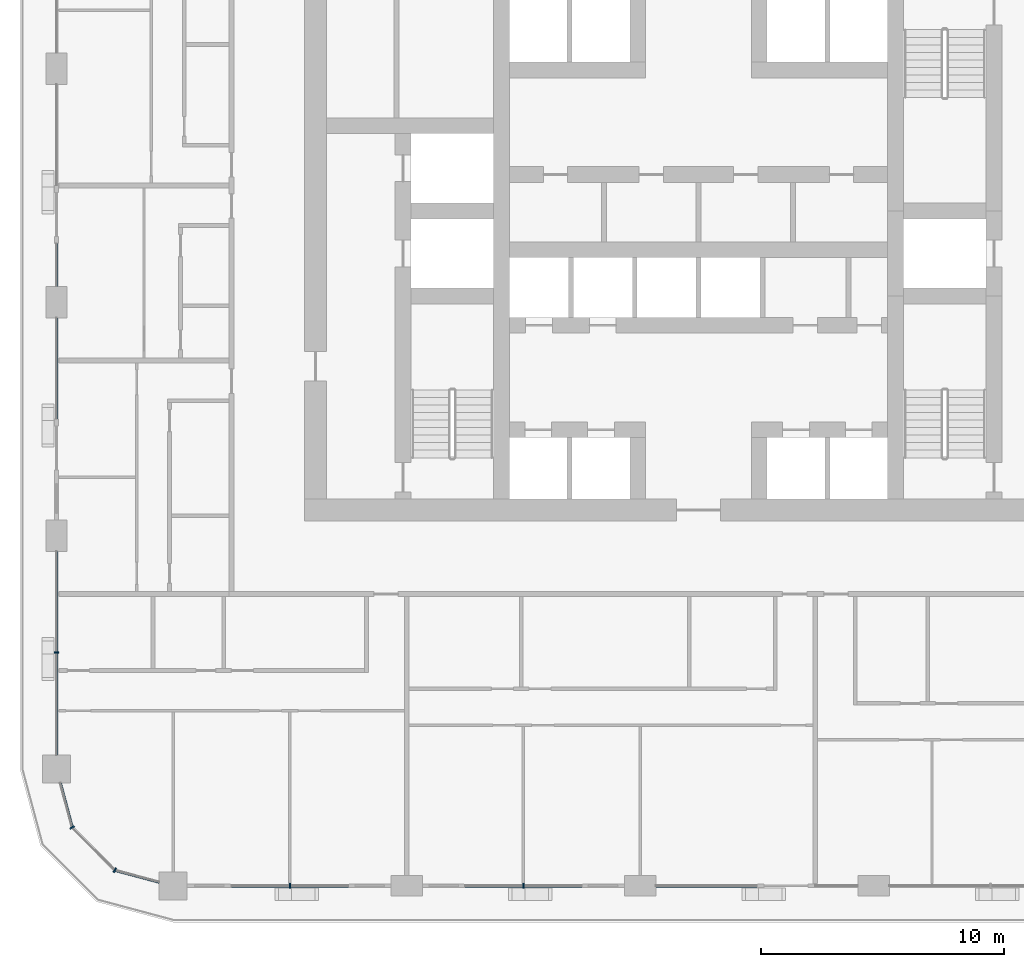
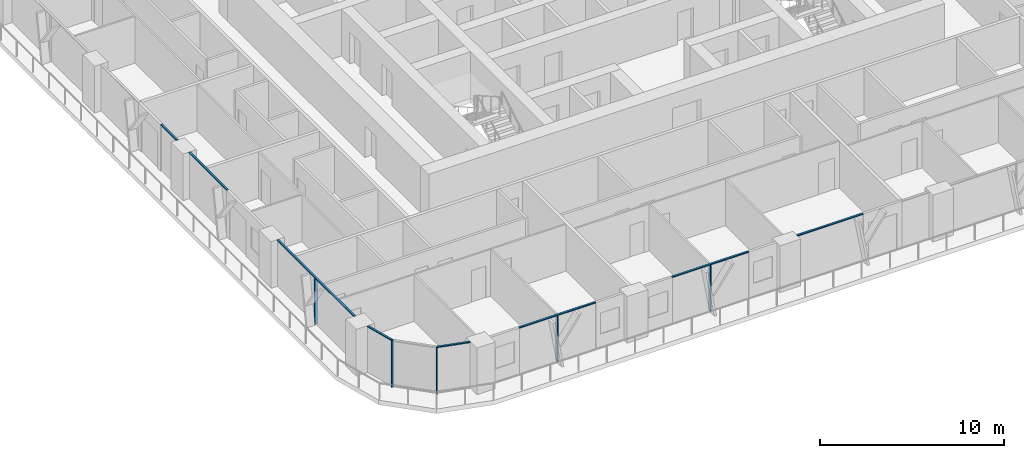
# One storey, part 2 of 21: 13 members, 7 elements without a shape of their own.
"""IFC4 building model written with IfcOpenShell, lengths in metres."""

import ifcopenshell
import ifcopenshell.guid

model = None  # the IFC model being written
_history = None  # IfcOwnerHistory: only IFC2X3 demands one
_inside = {}  # id of a spatial element -> (the spatial element, [elements in it])
_under = {}  # id of a project, library or spatial element -> (it, [spatial elements below it])
_declared = {}  # id of a project -> (the project, [libraries it declares])
_typed = {}  # id of a type object -> (the type object, [elements of that type])
_made_of = {}  # id of a material, layer set ... -> (it, [elements and type objects made of it])


def new_model(schema):
    """Start an empty IFC model of exactly this schema.

    Asked for "IFC4X3", IfcOpenShell would pick the latest addendum, in which some entities
    have other attributes; the version numbers below select the first issue.
    IFC2X3 requires an IfcOwnerHistory on every rooted entity: one is made here for all.
    """
    global model, _history
    if schema == "IFC4X3":
        model = ifcopenshell.file(schema_version=(4, 3, 0, 0))
    else:
        model = ifcopenshell.file(schema=schema)
    _inside.clear()
    _under.clear()
    _declared.clear()
    _typed.clear()
    _made_of.clear()
    _history = None
    if model.schema == "IFC2X3":
        org = make("IfcOrganization", Name="unknown")
        user = make(
            "IfcPersonAndOrganization",
            ThePerson=make("IfcPerson", FamilyName="unknown"),
            TheOrganization=org,
        )
        app = make(
            "IfcApplication",
            ApplicationDeveloper=org,
            Version="unknown",
            ApplicationFullName="unknown",
            ApplicationIdentifier="unknown",
        )
        _history = make(
            "IfcOwnerHistory",
            OwningUser=user,
            OwningApplication=app,
            ChangeAction="ADDED",
            CreationDate=0,
        )
    return model


def make(cls, **values):
    """One entity of the class cls with the attributes given. An attribute that is None is left unset."""
    return model.create_entity(
        cls, **{name: value for name, value in values.items() if value is not None}
    )


def rooted(cls, **values):
    """An entity with a GlobalId (a new one), such as an element, a storey or a relation."""
    return make(cls, GlobalId=ifcopenshell.guid.new(), OwnerHistory=_history, **values)


def si_unit(unit_type, name, prefix=None):
    """IfcSIUnit, for example si_unit("LENGTHUNIT", "METRE", prefix="MILLI")."""
    return make("IfcSIUnit", UnitType=unit_type, Prefix=prefix, Name=name)


def assignment(units):
    """IfcUnitAssignment: the units of a project."""
    return None if units is None else make("IfcUnitAssignment", Units=units)


def point(xyz):
    """IfcCartesianPoint."""
    return None if xyz is None else make("IfcCartesianPoint", Coordinates=xyz)


def direction(xyz):
    """IfcDirection."""
    return None if xyz is None else make("IfcDirection", DirectionRatios=xyz)


def frame(location, z_axis=None, x_axis=None):
    """IfcAxis2Placement3D, a coordinate frame: its origin and axes. An axis left out is left unset."""
    return make(
        "IfcAxis2Placement3D",
        Location=point(location),
        Axis=direction(z_axis),
        RefDirection=direction(x_axis),
    )


def frame_2d(location, x_axis=None):
    """IfcAxis2Placement2D, a coordinate frame in the plane: its origin and x axis."""
    return make(
        "IfcAxis2Placement2D", Location=point(location), RefDirection=direction(x_axis)
    )


def origin():
    """The frame at (0, 0, 0) with its axes left unset."""
    return frame((0.0, 0.0, 0.0))


def origin_2d():
    """The frame at (0, 0) in the plane with its x axis left unset."""
    return frame_2d((0.0, 0.0))


def place(relative_to, where):
    """IfcLocalPlacement: puts the frame where relative to a parent placement (None: the world)."""
    return make(
        "IfcLocalPlacement", PlacementRelTo=relative_to, RelativePlacement=where
    )


def context(
    kind, dimensions, precision=None, world=None, true_north=None, identifier=None
):
    """IfcGeometricRepresentationContext, for example the 3D "Model" context."""
    return make(
        "IfcGeometricRepresentationContext",
        ContextIdentifier=identifier,
        ContextType=kind,
        CoordinateSpaceDimension=dimensions,
        Precision=precision,
        WorldCoordinateSystem=world,
        TrueNorth=true_north,
    )


def subcontext(parent, identifier, kind, view, scale=None):
    """IfcGeometricRepresentationSubContext, for example "Body" below "Model"."""
    return make(
        "IfcGeometricRepresentationSubContext",
        ContextIdentifier=identifier,
        ContextType=kind,
        ParentContext=parent,
        TargetScale=scale,
        TargetView=view,
    )


def project(units=None, contexts=None):
    """IfcProject with its units and contexts."""
    return rooted(
        "IfcProject",
        Name="project",
        RepresentationContexts=contexts,
        UnitsInContext=assignment(units),
    )


def spatial(cls, under=None, at=None, **own):
    """A site, building, storey or space (cls), placed at a placement, below another one or the project."""
    s = rooted(cls, ObjectPlacement=at, **own)
    if under is not None:
        _under.setdefault(under.id(), (under, []))[1].append(s)
    return s


def profile(cls, at=None, kind="AREA", **sizes):
    """A parametric profile (cls). Its sizes go by their IFC names, for example OverallWidth=200.0."""
    return make(cls, ProfileType=kind, Position=at, **sizes)


def rectangle(**sizes):
    """IfcRectangleProfileDef."""
    return profile("IfcRectangleProfileDef", **sizes)


def extrude(swept, where, along, depth):
    """IfcExtrudedAreaSolid: the profile swept, set in the frame where, extruded along a direction by depth."""
    return make(
        "IfcExtrudedAreaSolid",
        SweptArea=swept,
        Position=where,
        ExtrudedDirection=direction(along),
        Depth=depth,
    )


def shape(context_of_items, identifier, shape_type, items):
    """IfcShapeRepresentation: the items that make up one representation, for example the "Body"."""
    return make(
        "IfcShapeRepresentation",
        ContextOfItems=context_of_items,
        RepresentationIdentifier=identifier,
        RepresentationType=shape_type,
        Items=items,
    )


def material(Name=None, Category=None):
    """IfcMaterial."""
    return make("IfcMaterial", Name=Name, Category=Category)


def layer(
    of_material, thickness, ventilated=None, Name=None, Category=None, Priority=None
):
    """IfcMaterialLayer: one layer of a wall or slab, of a material (None: an air gap)."""
    return make(
        "IfcMaterialLayer",
        Material=of_material,
        LayerThickness=thickness,
        IsVentilated=ventilated,
        Name=Name,
        Category=Category,
        Priority=Priority,
    )


def layer_set(layers, Name=None):
    """IfcMaterialLayerSet."""
    return make("IfcMaterialLayerSet", MaterialLayers=layers, LayerSetName=Name)


def material_profile(
    of_material, cross_section, Name=None, Category=None, Priority=None
):
    """IfcMaterialProfile: a cross section and its material."""
    return make(
        "IfcMaterialProfile",
        Name=Name,
        Material=of_material,
        Profile=cross_section,
        Priority=Priority,
        Category=Category,
    )


def profile_set(profiles, Name=None, composite=None):
    """IfcMaterialProfileSet."""
    return make(
        "IfcMaterialProfileSet",
        Name=Name,
        MaterialProfiles=profiles,
        CompositeProfile=composite,
    )


def made_of(thing, what):
    """Note that an element or type object is made of a material, layer set ...; save() writes the relation."""
    if what is not None:
        _made_of.setdefault(what.id(), (what, []))[1].append(thing)
    return thing


def type_object(cls, material=None, **own):
    """A type object (cls), such as IfcWallType, which elements share."""
    return made_of(rooted(cls, **own), material)


def element(
    cls,
    number,
    at=None,
    inside=None,
    cuts=None,
    type_object=None,
    material=None,
    context=None,
    identifier="Body",
    shape_type=None,
    held_by="IfcProductDefinitionShape",
    body=None,
    shapes=None,
    **own,
):
    """One element of the class cls, such as IfcWall. Its Tag is "e" and its number.

    at: its placement. inside: the storey or other place that contains it. cuts: it is an
    opening in that element (IfcRelVoidsElement). A single representation is given by context,
    identifier, shape_type and body (its items); several are given by shapes. held_by: the class
    of the entity that holds the representations. save() writes the other relations.
    """
    e = rooted(cls, Tag="e%d" % number, ObjectPlacement=at, **own)
    if body is not None:
        shapes = [shape(context, identifier, shape_type, body)]
    if shapes is not None:
        e.Representation = make(held_by, Representations=shapes)
    if inside is not None:
        _inside.setdefault(inside.id(), (inside, []))[1].append(e)
    if cuts is not None:
        rooted(
            "IfcRelVoidsElement", RelatingBuildingElement=cuts, RelatedOpeningElement=e
        )
    if type_object is not None:
        _typed.setdefault(type_object.id(), (type_object, []))[1].append(e)
    return made_of(e, material)


def aggregate(whole, parts):
    """IfcRelAggregates: a whole, such as a stair, and the parts it consists of."""
    return rooted("IfcRelAggregates", RelatingObject=whole, RelatedObjects=parts)


def save(model, path):
    """Write the relations noted so far, then the file.

    IfcRelAggregates (storeys below a building ...), IfcRelContainedInSpatialStructure (elements
    in a storey), IfcRelDefinesByType, IfcRelAssociatesMaterial and IfcRelDeclares: one each for
    every whole, place, type object, material and project.
    """
    for whole, parts in _under.values():
        aggregate(whole, parts)
    for where, things in _inside.values():
        rooted(
            "IfcRelContainedInSpatialStructure",
            RelatedElements=things,
            RelatingStructure=where,
        )
    for kind, things in _typed.values():
        rooted("IfcRelDefinesByType", RelatedObjects=things, RelatingType=kind)
    for what, things in _made_of.values():
        rooted("IfcRelAssociatesMaterial", RelatedObjects=things, RelatingMaterial=what)
    for by, libraries in _declared.values():
        rooted("IfcRelDeclares", RelatingContext=by, RelatedDefinitions=libraries)
    model.write(path)


model = new_model("IFC4")

# Units and contexts
model_context = context("Model", 3, precision=1e-05, world=origin(), true_north=direction((0.0, 1.0)))
body_context = subcontext(model_context, "Body", "Model", "MODEL_VIEW")
ifc_project = project(units=[si_unit("LENGTHUNIT", "METRE"), si_unit("AREAUNIT", "SQUARE_METRE"), si_unit("VOLUMEUNIT", "CUBIC_METRE"), si_unit("PLANEANGLEUNIT", "RADIAN"), si_unit("MASSUNIT", "GRAM", prefix="KILO")], contexts=[model_context])

# Site, building, storey
site_placement = place(None, origin())
site = spatial("IfcSite", under=ifc_project, at=site_placement, CompositionType="ELEMENT")
building_placement = place(site_placement, origin())
building = spatial("IfcBuilding", under=site, at=building_placement, Name="Madar Terraces", CompositionType="ELEMENT")
storey_placement = place(building_placement, frame((0.0, 0.0, 80.300048828125)))
storey = spatial("IfcBuildingStorey", under=building, at=storey_placement, Name="L20", CompositionType="ELEMENT", Elevation=80.300048828125)

# Curtain wall, member
ifc_material_1 = material(Name="Glass, ceramic frit dark grey, with black aluminium frame", Category="aluminium")
ifc_layer = layer(ifc_material_1, 0.199951171875)
ifc_layer_set = layer_set([ifc_layer], Name="Facade curtain wall, fritted glass")
curtain_wall_type = type_object("IfcCurtainWallType", Name="Facade curtain wall, fritted glass", PredefinedType="NOTDEFINED", material=ifc_layer_set)
curtain_wall_1_placement = place(storey_placement, origin())
curtain_wall_1 = element("IfcCurtainWall", 1, at=curtain_wall_1_placement, inside=storey, type_object=curtain_wall_type, Name="Outer skin curtain wall south bay 1", PredefinedType="NOTDEFINED")
ifc_material_2 = material(Name="Aluminium, black anodised", Category="aluminium")
ifc_material_profile_1 = material_profile(ifc_material_2, rectangle(XDim=0.199951171875, YDim=0.06005859375, at=origin_2d()), Name="Facade mullion 60x200")
ifc_profile_set_1 = profile_set([ifc_material_profile_1], Name="Aluminium, black anodised")
member_type_1 = type_object("IfcMemberType", Name="Facade mullion 60x200", PredefinedType="MULLION", material=ifc_profile_set_1)
member_1_placement = place(storey_placement, frame((14.39990234375, 0.0, 0.0), z_axis=(0.0, 0.0, 1.0), x_axis=(0.0, 1.0, 0.0)))
member_1 = element("IfcMember", 2, at=member_1_placement, type_object=member_type_1, Name="Mullion 1", PredefinedType="MULLION", context=body_context, shape_type="SweptSolid", body=[
    extrude(rectangle(XDim=0.199951171875, YDim=0.06005859375, at=origin_2d()), origin(), (0.0, 0.0, 1.0), 3.0400390625),
])

curtain_wall_2_placement = place(storey_placement, origin())
curtain_wall_2 = element("IfcCurtainWall", 3, at=curtain_wall_2_placement, inside=storey, type_object=curtain_wall_type, Name="Outer skin curtain wall south bay 2", PredefinedType="NOTDEFINED")
member_2_placement = place(storey_placement, frame((24.0, 0.0, 0.0), z_axis=(0.0, 0.0, 1.0), x_axis=(0.0, 1.0, 0.0)))
member_2 = element("IfcMember", 4, at=member_2_placement, type_object=member_type_1, Name="Mullion 1", PredefinedType="MULLION", context=body_context, shape_type="SweptSolid", body=[
    extrude(rectangle(XDim=0.199951171875, YDim=0.06005859375, at=origin_2d()), origin(), (0.0, 0.0, 1.0), 3.0400390625),
])

curtain_wall_3_placement = place(storey_placement, origin())
curtain_wall_3 = element("IfcCurtainWall", 5, at=curtain_wall_3_placement, inside=storey, type_object=curtain_wall_type, Name="Outer skin curtain wall west bay 4", PredefinedType="NOTDEFINED")
member_3_placement = place(storey_placement, frame((4.800048828125, 9.60009765625, 0.0), z_axis=(0.0, 0.0, 1.0), x_axis=(1.0, 0.0, 0.0)))
member_3 = element("IfcMember", 6, at=member_3_placement, type_object=member_type_1, Name="Mullion 1", PredefinedType="MULLION", context=body_context, shape_type="SweptSolid", body=[
    extrude(rectangle(XDim=0.199951171875, YDim=0.06005859375, at=origin_2d()), origin(), (0.0, 0.0, 1.0), 3.0400390625),
])

# Curtain wall, members
curtain_wall_4_placement = place(storey_placement, origin())
curtain_wall_4 = element("IfcCurtainWall", 7, at=curtain_wall_4_placement, inside=storey, type_object=curtain_wall_type, Name="Outer skin curtain wall south-west corner", PredefinedType="NOTDEFINED")
member_4_placement = place(storey_placement, frame((5.443115234375, 2.39990234375, 0.0), z_axis=(0.0, 0.0, 1.0), x_axis=(0.866025409797, 0.499999989586, 0.0)))
member_4 = element("IfcMember", 8, at=member_4_placement, type_object=member_type_1, Name="Mullion 1", PredefinedType="MULLION", context=body_context, shape_type="SweptSolid", body=[
    extrude(rectangle(XDim=0.199951171875, YDim=0.06005859375, at=origin_2d()), origin(), (0.0, 0.0, 1.0), 3.0400390625),
])
member_5_placement = place(storey_placement, frame((7.199951171875, 0.64306640625, 0.0), z_axis=(0.0, 0.0, 1.0), x_axis=(0.499999989586, 0.866025409797, 0.0)))
member_5 = element("IfcMember", 9, at=member_5_placement, type_object=member_type_1, Name="Mullion 2", PredefinedType="MULLION", context=body_context, shape_type="SweptSolid", body=[
    extrude(rectangle(XDim=0.199951171875, YDim=0.06005859375, at=origin_2d()), origin(), (0.0, 0.0, 1.0), 3.0400390625),
])

# Member
ifc_material_3 = material(Name="Aluminium, black anodised", Category="aluminium")
ifc_material_profile_2 = material_profile(ifc_material_3, rectangle(XDim=0.1201171875, YDim=0.06005859375, at=origin_2d()), Name="Facade transom 60x120")
ifc_profile_set_2 = profile_set([ifc_material_profile_2], Name="Aluminium, black anodised")
member_type_2 = type_object("IfcMemberType", Name="Facade transom 60x120", PredefinedType="USERDEFINED", material=ifc_profile_set_2)
member_6_placement = place(storey_placement, frame((12.0, 0.0, 3.070068359375), z_axis=(1.0, 0.0, 0.0), x_axis=(0.0, 1.0, 0.0)))
member_6 = element("IfcMember", 10, at=member_6_placement, type_object=member_type_2, Name="Transom 1", ObjectType="TRANSOM", PredefinedType="USERDEFINED", context=body_context, shape_type="SweptSolid", body=[
    extrude(rectangle(XDim=0.1201171875, YDim=0.06005859375, at=origin_2d()), origin(), (0.0, 0.0, 1.0), 4.800048828125),
])

aggregate(curtain_wall_1, [member_1, member_6])

member_7_placement = place(storey_placement, frame((21.60009765625, 0.0, 3.070068359375), z_axis=(1.0, 0.0, 0.0), x_axis=(0.0, 1.0, 0.0)))
member_7 = element("IfcMember", 11, at=member_7_placement, type_object=member_type_2, Name="Transom 1", ObjectType="TRANSOM", PredefinedType="USERDEFINED", context=body_context, shape_type="SweptSolid", body=[
    extrude(rectangle(XDim=0.1201171875, YDim=0.06005859375, at=origin_2d()), origin(), (0.0, 0.0, 1.0), 4.7998046875),
])

aggregate(curtain_wall_2, [member_2, member_7])

# Curtain wall, member
curtain_wall_5_placement = place(storey_placement, origin())
curtain_wall_5 = element("IfcCurtainWall", 12, at=curtain_wall_5_placement, inside=storey, type_object=curtain_wall_type, Name="Outer skin curtain wall south bay 3", PredefinedType="NOTDEFINED")
member_8_placement = place(storey_placement, frame((29.449951171875, 0.0, 3.070068359375), z_axis=(1.0, 0.0, 0.0), x_axis=(0.0, 1.0, 0.0)))
member_8 = element("IfcMember", 13, at=member_8_placement, type_object=member_type_2, Name="Transom 1", ObjectType="TRANSOM", PredefinedType="USERDEFINED", context=body_context, shape_type="SweptSolid", body=[
    extrude(rectangle(XDim=0.1201171875, YDim=0.06005859375, at=origin_2d()), origin(), (0.0, 0.0, 1.0), 4.150146484375),
])
aggregate(curtain_wall_5, [member_8])

curtain_wall_6_placement = place(storey_placement, origin())
curtain_wall_6 = element("IfcCurtainWall", 14, at=curtain_wall_6_placement, inside=storey, type_object=curtain_wall_type, Name="Outer skin curtain wall west bay 2", PredefinedType="NOTDEFINED")
member_9_placement = place(storey_placement, frame((4.800048828125, 26.39990234375, 3.070068359375), z_axis=(0.0, -1.0, 0.0), x_axis=(1.0, 0.0, 0.0)))
member_9 = element("IfcMember", 15, at=member_9_placement, type_object=member_type_2, Name="Transom 2", ObjectType="TRANSOM", PredefinedType="USERDEFINED", context=body_context, shape_type="SweptSolid", body=[
    extrude(rectangle(XDim=0.1201171875, YDim=0.06005859375, at=origin_2d()), origin(), (0.0, 0.0, 1.0), 1.75),
])
aggregate(curtain_wall_6, [member_9])

curtain_wall_7_placement = place(storey_placement, origin())
curtain_wall_7 = element("IfcCurtainWall", 16, at=curtain_wall_7_placement, inside=storey, type_object=curtain_wall_type, Name="Outer skin curtain wall west bay 3", PredefinedType="NOTDEFINED")
member_10_placement = place(storey_placement, frame((4.800048828125, 23.35009765625, 3.070068359375), z_axis=(0.0, -1.0, 0.0), x_axis=(1.0, 0.0, 0.0)))
member_10 = element("IfcMember", 17, at=member_10_placement, type_object=member_type_2, Name="Transom 1", ObjectType="TRANSOM", PredefinedType="USERDEFINED", context=body_context, shape_type="SweptSolid", body=[
    extrude(rectangle(XDim=0.1201171875, YDim=0.06005859375, at=origin_2d()), origin(), (0.0, 0.0, 1.0), 4.150146484375),
])
aggregate(curtain_wall_7, [member_10])

# Member
member_11_placement = place(storey_placement, frame((4.800048828125, 13.75, 3.070068359375), z_axis=(0.0, -1.0, 0.0), x_axis=(1.0, 0.0, 0.0)))
member_11 = element("IfcMember", 18, at=member_11_placement, type_object=member_type_2, Name="Transom 1", ObjectType="TRANSOM", PredefinedType="USERDEFINED", context=body_context, shape_type="SweptSolid", body=[
    extrude(rectangle(XDim=0.1201171875, YDim=0.06005859375, at=origin_2d()), origin(), (0.0, 0.0, 1.0), 8.375),
])

aggregate(curtain_wall_3, [member_3, member_11])

member_12_placement = place(storey_placement, frame((4.9541015625, 4.22509765625, 3.070068359375), z_axis=(0.258782024434, -0.965935745187, 0.0), x_axis=(0.965935745187, 0.258782024434, 0.0)))
member_12 = element("IfcMember", 19, at=member_12_placement, type_object=member_type_2, Name="Transom 1", ObjectType="TRANSOM", PredefinedType="USERDEFINED", context=body_context, shape_type="SweptSolid", body=[
    extrude(rectangle(XDim=0.1201171875, YDim=0.06005859375, at=origin_2d()), origin(), (0.0, 0.0, 1.0), 1.859375),
])

member_13_placement = place(storey_placement, frame((7.22900390625, 0.63525390625, 3.070068359375), z_axis=(0.965926950947, -0.258814847786, 0.0), x_axis=(0.258814847786, 0.965926950947, 0.0)))
member_13 = element("IfcMember", 20, at=member_13_placement, type_object=member_type_2, Name="Transom 3", ObjectType="TRANSOM", PredefinedType="USERDEFINED", context=body_context, shape_type="SweptSolid", body=[
    extrude(rectangle(XDim=0.1201171875, YDim=0.06005859375, at=origin_2d()), origin(), (0.0, 0.0, 1.0), 1.859130859375),
])

aggregate(curtain_wall_4, [member_4, member_12, member_5, member_13])

save(model, "model.ifc")
